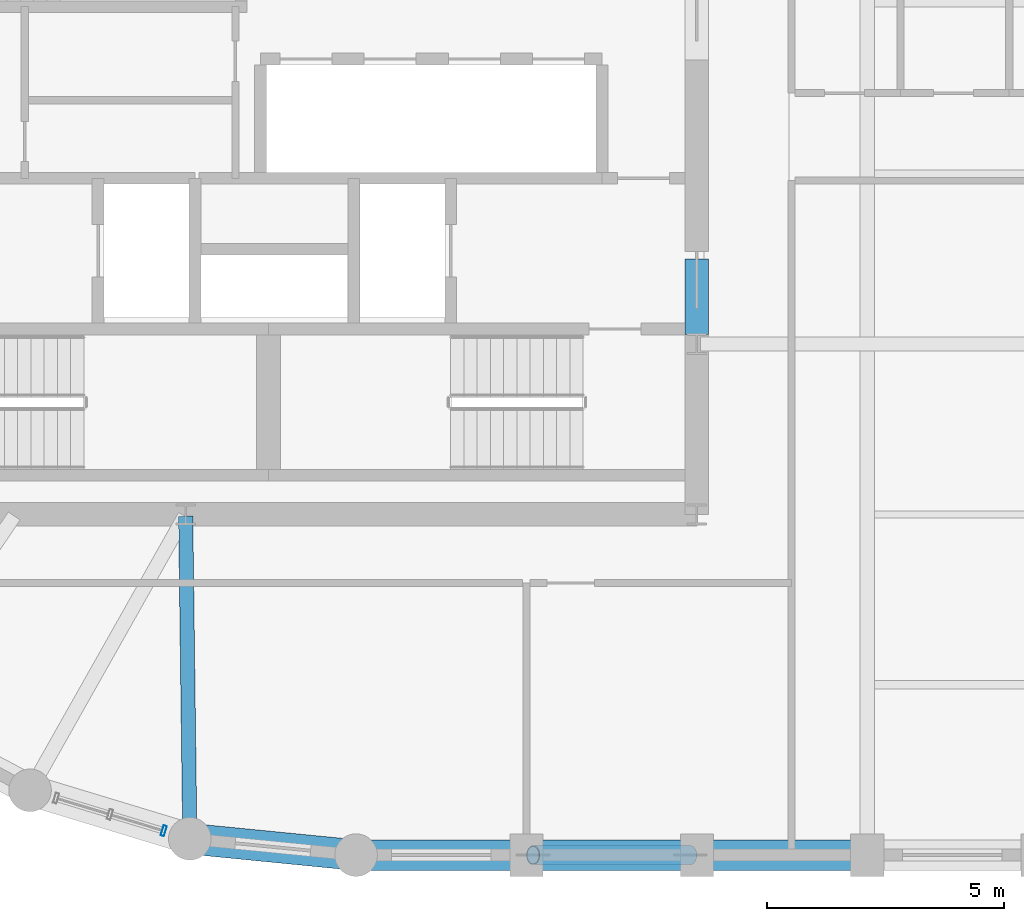
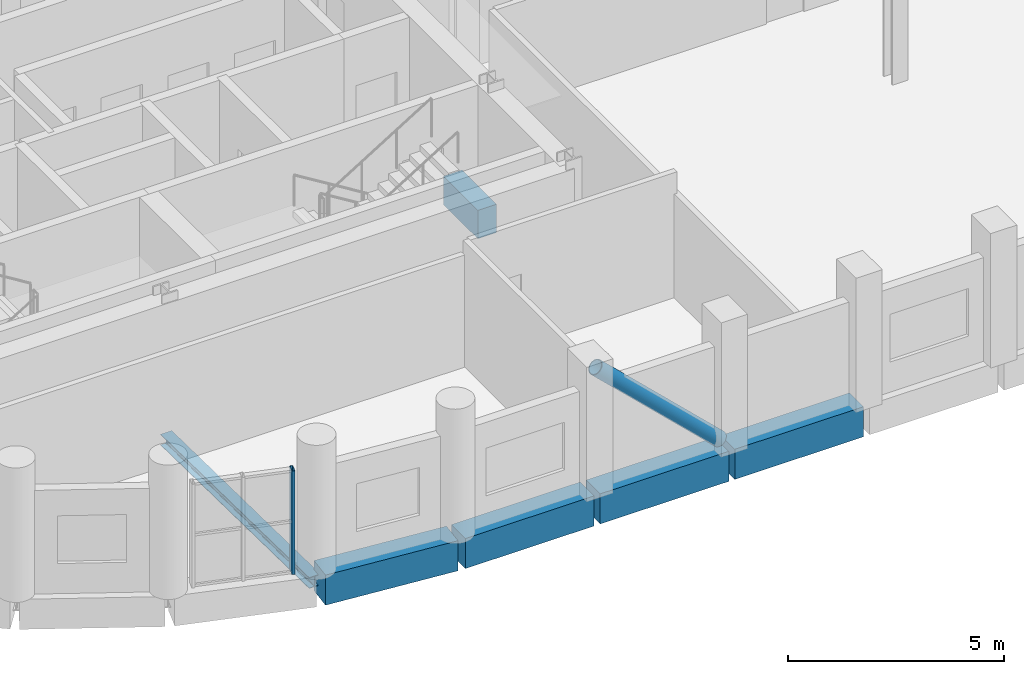
# One storey, part 4 of 12: 6 beams, 2 members, 1 element without a shape of its own.
"""IFC4 building model written with IfcOpenShell, lengths in metres."""

import ifcopenshell
import ifcopenshell.guid

model = None  # the IFC model being written
_history = None  # IfcOwnerHistory: only IFC2X3 demands one
_inside = {}  # id of a spatial element -> (the spatial element, [elements in it])
_under = {}  # id of a project, library or spatial element -> (it, [spatial elements below it])
_declared = {}  # id of a project -> (the project, [libraries it declares])
_typed = {}  # id of a type object -> (the type object, [elements of that type])
_made_of = {}  # id of a material, layer set ... -> (it, [elements and type objects made of it])


def new_model(schema):
    """Start an empty IFC model of exactly this schema.

    Asked for "IFC4X3", IfcOpenShell would pick the latest addendum, in which some entities
    have other attributes; the version numbers below select the first issue.
    IFC2X3 requires an IfcOwnerHistory on every rooted entity: one is made here for all.
    """
    global model, _history
    if schema == "IFC4X3":
        model = ifcopenshell.file(schema_version=(4, 3, 0, 0))
    else:
        model = ifcopenshell.file(schema=schema)
    _inside.clear()
    _under.clear()
    _declared.clear()
    _typed.clear()
    _made_of.clear()
    _history = None
    if model.schema == "IFC2X3":
        org = make("IfcOrganization", Name="unknown")
        user = make(
            "IfcPersonAndOrganization",
            ThePerson=make("IfcPerson", FamilyName="unknown"),
            TheOrganization=org,
        )
        app = make(
            "IfcApplication",
            ApplicationDeveloper=org,
            Version="unknown",
            ApplicationFullName="unknown",
            ApplicationIdentifier="unknown",
        )
        _history = make(
            "IfcOwnerHistory",
            OwningUser=user,
            OwningApplication=app,
            ChangeAction="ADDED",
            CreationDate=0,
        )
    return model


def make(cls, **values):
    """One entity of the class cls with the attributes given. An attribute that is None is left unset."""
    return model.create_entity(
        cls, **{name: value for name, value in values.items() if value is not None}
    )


def rooted(cls, **values):
    """An entity with a GlobalId (a new one), such as an element, a storey or a relation."""
    return make(cls, GlobalId=ifcopenshell.guid.new(), OwnerHistory=_history, **values)


def si_unit(unit_type, name, prefix=None):
    """IfcSIUnit, for example si_unit("LENGTHUNIT", "METRE", prefix="MILLI")."""
    return make("IfcSIUnit", UnitType=unit_type, Prefix=prefix, Name=name)


def assignment(units):
    """IfcUnitAssignment: the units of a project."""
    return None if units is None else make("IfcUnitAssignment", Units=units)


def point(xyz):
    """IfcCartesianPoint."""
    return None if xyz is None else make("IfcCartesianPoint", Coordinates=xyz)


def direction(xyz):
    """IfcDirection."""
    return None if xyz is None else make("IfcDirection", DirectionRatios=xyz)


def frame(location, z_axis=None, x_axis=None):
    """IfcAxis2Placement3D, a coordinate frame: its origin and axes. An axis left out is left unset."""
    return make(
        "IfcAxis2Placement3D",
        Location=point(location),
        Axis=direction(z_axis),
        RefDirection=direction(x_axis),
    )


def frame_2d(location, x_axis=None):
    """IfcAxis2Placement2D, a coordinate frame in the plane: its origin and x axis."""
    return make(
        "IfcAxis2Placement2D", Location=point(location), RefDirection=direction(x_axis)
    )


def origin():
    """The frame at (0, 0, 0) with its axes left unset."""
    return frame((0.0, 0.0, 0.0))


def origin_2d():
    """The frame at (0, 0) in the plane with its x axis left unset."""
    return frame_2d((0.0, 0.0))


def place(relative_to, where):
    """IfcLocalPlacement: puts the frame where relative to a parent placement (None: the world)."""
    return make(
        "IfcLocalPlacement", PlacementRelTo=relative_to, RelativePlacement=where
    )


def context(
    kind, dimensions, precision=None, world=None, true_north=None, identifier=None
):
    """IfcGeometricRepresentationContext, for example the 3D "Model" context."""
    return make(
        "IfcGeometricRepresentationContext",
        ContextIdentifier=identifier,
        ContextType=kind,
        CoordinateSpaceDimension=dimensions,
        Precision=precision,
        WorldCoordinateSystem=world,
        TrueNorth=true_north,
    )


def subcontext(parent, identifier, kind, view, scale=None):
    """IfcGeometricRepresentationSubContext, for example "Body" below "Model"."""
    return make(
        "IfcGeometricRepresentationSubContext",
        ContextIdentifier=identifier,
        ContextType=kind,
        ParentContext=parent,
        TargetScale=scale,
        TargetView=view,
    )


def project(units=None, contexts=None):
    """IfcProject with its units and contexts."""
    return rooted(
        "IfcProject",
        Name="project",
        RepresentationContexts=contexts,
        UnitsInContext=assignment(units),
    )


def spatial(cls, under=None, at=None, **own):
    """A site, building, storey or space (cls), placed at a placement, below another one or the project."""
    s = rooted(cls, ObjectPlacement=at, **own)
    if under is not None:
        _under.setdefault(under.id(), (under, []))[1].append(s)
    return s


def profile(cls, at=None, kind="AREA", **sizes):
    """A parametric profile (cls). Its sizes go by their IFC names, for example OverallWidth=200.0."""
    return make(cls, ProfileType=kind, Position=at, **sizes)


def rectangle(**sizes):
    """IfcRectangleProfileDef."""
    return profile("IfcRectangleProfileDef", **sizes)


def hollow_rectangle(**sizes):
    """IfcRectangleHollowProfileDef."""
    return profile("IfcRectangleHollowProfileDef", **sizes)


def hollow_circle(**sizes):
    """IfcCircleHollowProfileDef."""
    return profile("IfcCircleHollowProfileDef", **sizes)


def i_section(**sizes):
    """IfcIShapeProfileDef."""
    return profile("IfcIShapeProfileDef", **sizes)


def extrude(swept, where, along, depth):
    """IfcExtrudedAreaSolid: the profile swept, set in the frame where, extruded along a direction by depth."""
    return make(
        "IfcExtrudedAreaSolid",
        SweptArea=swept,
        Position=where,
        ExtrudedDirection=direction(along),
        Depth=depth,
    )


def shape(context_of_items, identifier, shape_type, items):
    """IfcShapeRepresentation: the items that make up one representation, for example the "Body"."""
    return make(
        "IfcShapeRepresentation",
        ContextOfItems=context_of_items,
        RepresentationIdentifier=identifier,
        RepresentationType=shape_type,
        Items=items,
    )


def material(Name=None, Category=None):
    """IfcMaterial."""
    return make("IfcMaterial", Name=Name, Category=Category)


def layer(
    of_material, thickness, ventilated=None, Name=None, Category=None, Priority=None
):
    """IfcMaterialLayer: one layer of a wall or slab, of a material (None: an air gap)."""
    return make(
        "IfcMaterialLayer",
        Material=of_material,
        LayerThickness=thickness,
        IsVentilated=ventilated,
        Name=Name,
        Category=Category,
        Priority=Priority,
    )


def layer_set(layers, Name=None):
    """IfcMaterialLayerSet."""
    return make("IfcMaterialLayerSet", MaterialLayers=layers, LayerSetName=Name)


def material_profile(
    of_material, cross_section, Name=None, Category=None, Priority=None
):
    """IfcMaterialProfile: a cross section and its material."""
    return make(
        "IfcMaterialProfile",
        Name=Name,
        Material=of_material,
        Profile=cross_section,
        Priority=Priority,
        Category=Category,
    )


def profile_set(profiles, Name=None, composite=None):
    """IfcMaterialProfileSet."""
    return make(
        "IfcMaterialProfileSet",
        Name=Name,
        MaterialProfiles=profiles,
        CompositeProfile=composite,
    )


def made_of(thing, what):
    """Note that an element or type object is made of a material, layer set ...; save() writes the relation."""
    if what is not None:
        _made_of.setdefault(what.id(), (what, []))[1].append(thing)
    return thing


def type_object(cls, material=None, **own):
    """A type object (cls), such as IfcWallType, which elements share."""
    return made_of(rooted(cls, **own), material)


def element(
    cls,
    number,
    at=None,
    inside=None,
    cuts=None,
    type_object=None,
    material=None,
    context=None,
    identifier="Body",
    shape_type=None,
    held_by="IfcProductDefinitionShape",
    body=None,
    shapes=None,
    **own,
):
    """One element of the class cls, such as IfcWall. Its Tag is "e" and its number.

    at: its placement. inside: the storey or other place that contains it. cuts: it is an
    opening in that element (IfcRelVoidsElement). A single representation is given by context,
    identifier, shape_type and body (its items); several are given by shapes. held_by: the class
    of the entity that holds the representations. save() writes the other relations.
    """
    e = rooted(cls, Tag="e%d" % number, ObjectPlacement=at, **own)
    if body is not None:
        shapes = [shape(context, identifier, shape_type, body)]
    if shapes is not None:
        e.Representation = make(held_by, Representations=shapes)
    if inside is not None:
        _inside.setdefault(inside.id(), (inside, []))[1].append(e)
    if cuts is not None:
        rooted(
            "IfcRelVoidsElement", RelatingBuildingElement=cuts, RelatedOpeningElement=e
        )
    if type_object is not None:
        _typed.setdefault(type_object.id(), (type_object, []))[1].append(e)
    return made_of(e, material)


def aggregate(whole, parts):
    """IfcRelAggregates: a whole, such as a stair, and the parts it consists of."""
    return rooted("IfcRelAggregates", RelatingObject=whole, RelatedObjects=parts)


def save(model, path):
    """Write the relations noted so far, then the file.

    IfcRelAggregates (storeys below a building ...), IfcRelContainedInSpatialStructure (elements
    in a storey), IfcRelDefinesByType, IfcRelAssociatesMaterial and IfcRelDeclares: one each for
    every whole, place, type object, material and project.
    """
    for whole, parts in _under.values():
        aggregate(whole, parts)
    for where, things in _inside.values():
        rooted(
            "IfcRelContainedInSpatialStructure",
            RelatedElements=things,
            RelatingStructure=where,
        )
    for kind, things in _typed.values():
        rooted("IfcRelDefinesByType", RelatedObjects=things, RelatingType=kind)
    for what, things in _made_of.values():
        rooted("IfcRelAssociatesMaterial", RelatedObjects=things, RelatingMaterial=what)
    for by, libraries in _declared.values():
        rooted("IfcRelDeclares", RelatingContext=by, RelatedDefinitions=libraries)
    model.write(path)


model = new_model("IFC4")

# Units and contexts
model_context = context("Model", 3, precision=1e-05, world=origin(), true_north=direction((0.0, 1.0)))
body_context = subcontext(model_context, "Body", "Model", "MODEL_VIEW")
ifc_project = project(units=[si_unit("LENGTHUNIT", "METRE"), si_unit("AREAUNIT", "SQUARE_METRE"), si_unit("VOLUMEUNIT", "CUBIC_METRE"), si_unit("PLANEANGLEUNIT", "RADIAN"), si_unit("MASSUNIT", "GRAM", prefix="KILO")], contexts=[model_context])

# Site, building, storey
site_placement = place(None, origin())
site = spatial("IfcSite", under=ifc_project, at=site_placement, CompositionType="ELEMENT")
building_placement = place(site_placement, origin())
building = spatial("IfcBuilding", under=site, at=building_placement, Name="Solnavia Interchange Tower", CompositionType="ELEMENT")
storey_placement = place(building_placement, frame((0.0, 0.0, 193.800048828125)))
storey = spatial("IfcBuildingStorey", under=building, at=storey_placement, Name="L48", CompositionType="ELEMENT", Elevation=193.800048828125)

# Beams
ifc_material_1 = material(Name="Concrete C50/60", Category="concrete")
ifc_material_profile_1 = material_profile(ifc_material_1, rectangle(XDim=0.5, YDim=0.800048828125, at=origin_2d()), Name="RC 500x800")
ifc_profile_set_1 = profile_set([ifc_material_profile_1], Name="Concrete C50/60")
beam_type_1 = type_object("IfcBeamType", Name="Beam-Coupling-RC500x800", PredefinedType="LINTEL", material=ifc_profile_set_1)
beam_1_placement = place(storey_placement, frame((32.39990234375, 14.60009765625, -0.400146484375), z_axis=(0.0, 1.0, 0.0), x_axis=(-1.0, 0.0, 0.0)))
element("IfcBeam", 1, at=beam_1_placement, inside=storey, type_object=beam_type_1, Name="CPB-L48-E1 Core coupling lintel beam", PredefinedType="LINTEL", context=body_context, shape_type="SweptSolid", body=[
    extrude(rectangle(XDim=0.5, YDim=0.800048828125, at=origin_2d()), origin(), (0.0, 0.0, 1.0), 1.599853515625),
])
ifc_material_2 = material(Name="Steel S355", Category="steel")
ifc_material_profile_2 = material_profile(ifc_material_2, i_section(OverallWidth=0.300048828125, OverallDepth=0.31005859375, WebThickness=0.009033203125, FlangeThickness=0.015380859375, FilletRadius=0.027099609375, at=origin_2d()), Name="HEA 320")
ifc_profile_set_2 = profile_set([ifc_material_profile_2], Name="Steel S355")
beam_type_2 = type_object("IfcBeamType", Name="Beam-Primary-HEA320", PredefinedType="BEAM", material=ifc_profile_set_2)
beam_2_placement = place(storey_placement, frame((21.68701171875, 4.02587890625, -0.405029296875), z_axis=(-0.01283293513, 0.999917654498, 0.0), x_axis=(-0.999917654498, -0.01283293513, 0.0)))
element("IfcBeam", 2, at=beam_2_placement, inside=storey, type_object=beam_type_2, Name="GRD-L48-DR18 Drum radial floor girder", PredefinedType="BEAM", context=body_context, shape_type="SweptSolid", body=[
    extrude(i_section(OverallWidth=0.300048828125, OverallDepth=0.31005859375, WebThickness=0.009033203125, FlangeThickness=0.015380859375, FilletRadius=0.027099609375, at=origin_2d()), origin(), (0.0, 0.0, 1.0), 6.734619140625),
])
ifc_material_profile_3 = material_profile(ifc_material_1, rectangle(XDim=0.64990234375, YDim=0.85009765625, at=origin_2d()), Name="RC 650x850")
ifc_profile_set_3 = profile_set([ifc_material_profile_3], Name="Concrete C50/60")
beam_type_3 = type_object("IfcBeamType", Name="Beam-Spandrel-RC650x850", PredefinedType="SPANDREL", material=ifc_profile_set_3)
beam_3_placement = place(storey_placement, frame((21.767578125, 3.938232421875, -0.425048828125), z_axis=(0.995181774609, -0.098047108501, 0.0), x_axis=(0.098047108501, 0.995181774609, 0.0)))
element("IfcBeam", 3, at=beam_3_placement, inside=storey, type_object=beam_type_3, Name="SPB-L48-08 Framed-tube perimeter spandrel beam", PredefinedType="SPANDREL", context=body_context, shape_type="SweptSolid", body=[
    extrude(rectangle(XDim=0.64990234375, YDim=0.85009765625, at=origin_2d()), origin(), (0.0, 0.0, 1.0), 3.368896484375),
])
beam_4_placement = place(storey_placement, frame((25.280029296875, 3.60009765625, -0.425048828125), z_axis=(1.0, 0.0, 0.0), x_axis=(0.0, 1.0, 0.0)))
element("IfcBeam", 4, at=beam_4_placement, inside=storey, type_object=beam_type_3, Name="SPB-L48-09 Framed-tube perimeter spandrel beam", PredefinedType="SPANDREL", context=body_context, shape_type="SweptSolid", body=[
    extrude(rectangle(XDim=0.64990234375, YDim=0.85009765625, at=origin_2d()), origin(), (0.0, 0.0, 1.0), 3.43994140625),
])
beam_5_placement = place(storey_placement, frame((28.8798828125, 3.60009765625, -0.425048828125), z_axis=(1.0, 0.0, 0.0), x_axis=(0.0, 1.0, 0.0)))
element("IfcBeam", 5, at=beam_5_placement, inside=storey, type_object=beam_type_3, Name="SPB-L48-10 Framed-tube perimeter spandrel beam", PredefinedType="SPANDREL", context=body_context, shape_type="SweptSolid", body=[
    extrude(rectangle(XDim=0.64990234375, YDim=0.85009765625, at=origin_2d()), origin(), (0.0, 0.0, 1.0), 3.440185546875),
])
beam_6_placement = place(storey_placement, frame((32.47998046875, 3.60009765625, -0.425048828125), z_axis=(1.0, 0.0, 0.0), x_axis=(0.0, 1.0, 0.0)))
element("IfcBeam", 6, at=beam_6_placement, inside=storey, type_object=beam_type_3, Name="SPB-L48-11 Framed-tube perimeter spandrel beam", PredefinedType="SPANDREL", context=body_context, shape_type="SweptSolid", body=[
    extrude(rectangle(XDim=0.64990234375, YDim=0.85009765625, at=origin_2d()), origin(), (0.0, 0.0, 1.0), 3.43994140625),
])

# Member
ifc_material_3 = material(Name="Steel S460", Category="steel")
ifc_material_profile_4 = material_profile(ifc_material_3, hollow_circle(Radius=0.203125, WallThickness=0.02001953125, at=origin_2d()), Name="CHS 406.4x20")
ifc_profile_set_4 = profile_set([ifc_material_profile_4], Name="Steel S460")
member_type_1 = type_object("IfcMemberType", Name="Brace-Perim-CHS406", PredefinedType="BRACE", material=ifc_profile_set_4)
member_1_placement = place(storey_placement, frame((32.260009765625, 3.60009765625, 0.179931640625), z_axis=(-0.721096918576, 0.0, 0.692834203847), x_axis=(0.0, -1.0, 0.0)))
element("IfcMember", 7, at=member_1_placement, inside=storey, type_object=member_type_1, Name="BRC-L48-01 Perimeter tube diagonal brace", PredefinedType="BRACE", context=body_context, shape_type="SweptSolid", body=[
    extrude(hollow_circle(Radius=0.203125, WallThickness=0.02001953125, at=origin_2d()), origin(), (0.0, 0.0, 1.0), 4.604248046875),
])

# Curtain wall, member
ifc_material_4 = material(Name="Aluminium Alloy 6063-T6", Category="aluminium")
ifc_layer = layer(ifc_material_4, 0.239990234375)
ifc_layer_set = layer_set([ifc_layer], Name="Aluminium Alloy 6063-T6")
curtain_wall_type = type_object("IfcCurtainWallType", Name="CurtainWall-Drum-CTW2", PredefinedType="NOTDEFINED", material=ifc_layer_set)
curtain_wall_placement = place(storey_placement, origin())
curtain_wall = element("IfcCurtainWall", 8, at=curtain_wall_placement, inside=storey, type_object=curtain_wall_type, Name="CTW-L48-D53 CTW-2 curtain wall", PredefinedType="NOTDEFINED")
ifc_material_profile_5 = material_profile(ifc_material_4, hollow_rectangle(XDim=0.074951171875, YDim=0.219970703125, WallThickness=0.0048828125, at=origin_2d()), Name="ALU 220x75x5")
ifc_profile_set_5 = profile_set([ifc_material_profile_5], Name="Aluminium Alloy 6063-T6")
member_type_2 = type_object("IfcMemberType", Name="CW-Mullion-CWM-2", PredefinedType="MULLION", material=ifc_profile_set_5)
member_2_placement = place(storey_placement, frame((21.1376953125, 4.11279296875, 0.0), z_axis=(0.0, 0.0, 1.0), x_axis=(0.956942072515, -0.290278951786, 0.0)))
member_2 = element("IfcMember", 9, at=member_2_placement, type_object=member_type_2, Name="CTW-2 mullion 3", PredefinedType="MULLION", context=body_context, shape_type="SweptSolid", body=[
    extrude(hollow_rectangle(XDim=0.074951171875, YDim=0.219970703125, WallThickness=0.0048828125, at=origin_2d()), origin(), (0.0, 0.0, 1.0), 2.929931640625),
])
aggregate(curtain_wall, [member_2])

save(model, "model.ifc")
